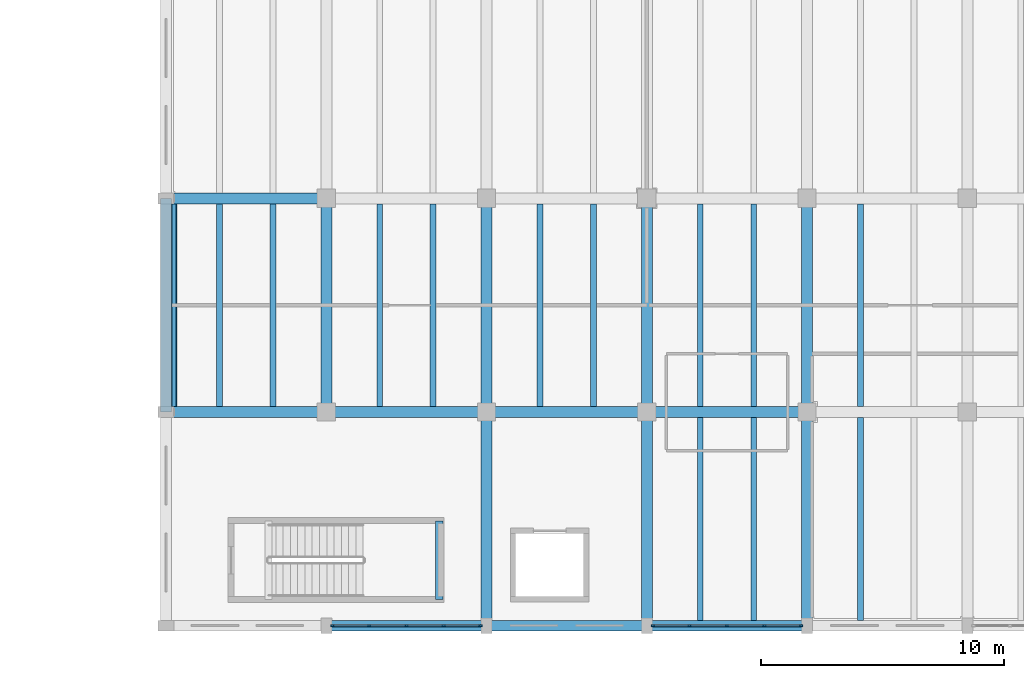
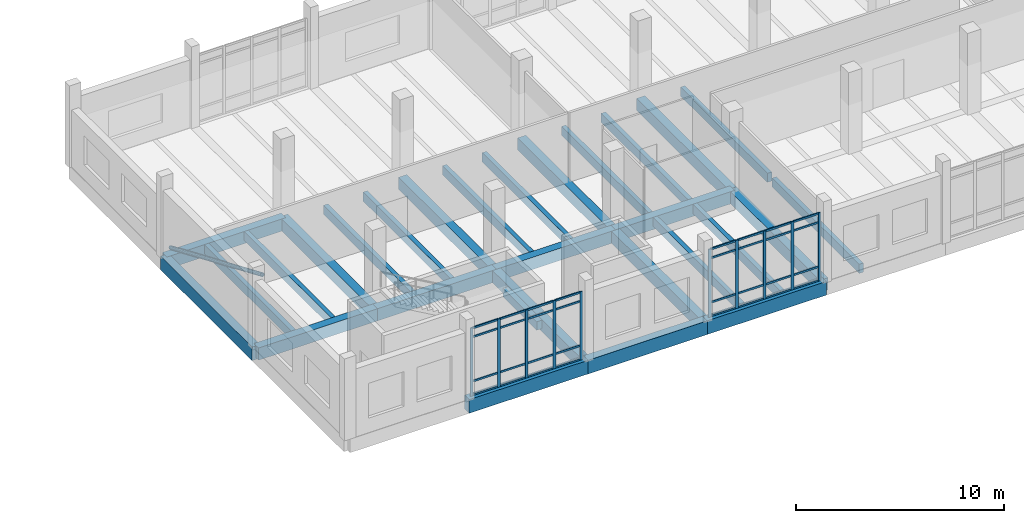
# One storey, part 22 of 125: 43 members, 29 beams, 2 elements without a shape of their own.
"""IFC4 building model written with IfcOpenShell, lengths in metres."""

from ifc_helpers import new_model, si_unit, direction, frame, origin, origin_2d, place, context, subcontext, project, spatial, rectangle, hollow_circle, extrude, material, material_profile, profile_set, type_object, element, aggregate, save


model = new_model("IFC4")

# Units and contexts
model_context = context("Model", 3, precision=1e-05, world=origin(), true_north=direction((0.0, 1.0)))
body_context = subcontext(model_context, "Body", "Model", "MODEL_VIEW")
ifc_project = project(units=[si_unit("LENGTHUNIT", "METRE"), si_unit("AREAUNIT", "SQUARE_METRE"), si_unit("VOLUMEUNIT", "CUBIC_METRE"), si_unit("PLANEANGLEUNIT", "RADIAN"), si_unit("MASSUNIT", "GRAM", prefix="KILO")], contexts=[model_context])

# Site, building, storey
site_placement = place(None, origin())
site = spatial("IfcSite", under=ifc_project, at=site_placement, CompositionType="ELEMENT")
building_placement = place(site_placement, origin())
building = spatial("IfcBuilding", under=site, at=building_placement, Name="Dornvale Research Institute", CompositionType="ELEMENT")
storey_placement = place(building_placement, frame((0.0, 0.0, 5.39990234375)))
storey = spatial("IfcBuildingStorey", under=building, at=storey_placement, Name="L01", CompositionType="ELEMENT", Elevation=5.39990234375)

# Beams
ifc_material_1 = material(Name="Concrete f'c 45 MPa (C35/45)", Category="concrete")
ifc_material_profile_1 = material_profile(ifc_material_1, rectangle(XDim=0.300048828125, YDim=0.5, at=origin_2d()), Name="RC 300x500")
ifc_profile_set_1 = profile_set([ifc_material_profile_1], Name="Concrete f'c 45 MPa (C35/45)")
beam_type_1 = type_object("IfcBeamType", Name="Beam_RC300x500_Trim", PredefinedType="BEAM", material=ifc_profile_set_1)
beam_1_placement = place(storey_placement, frame((110.25, 1.080078125, 1.9501953125), z_axis=(0.0, 1.0, 0.0), x_axis=(-1.0, 0.0, 0.0)))
element("IfcBeam", 1, at=beam_1_placement, inside=storey, type_object=beam_type_1, Name="L01 ST-5 half-landing support beam #84", PredefinedType="BEAM", context=body_context, shape_type="SweptSolid", body=[
    extrude(rectangle(XDim=0.300048828125, YDim=0.5, at=origin_2d()), origin(), (0.0, 0.0, 1.0), 3.239990234375),
])
ifc_material_2 = material(Name="Concrete f'c 45 MPa (C35/45)", Category="concrete")
ifc_material_profile_2 = material_profile(ifc_material_2, rectangle(XDim=0.449951171875, YDim=0.715087890625, at=origin_2d()), Name="RC 450x715")
ifc_profile_set_2 = profile_set([ifc_material_profile_2], Name="Concrete f'c 45 MPa (C35/45)")
beam_type_2 = type_object("IfcBeamType", Name="Beam_RC450x715_Lab", PredefinedType="BEAM", material=ifc_profile_set_2)
beam_2_placement = place(storey_placement, frame((99.0, 8.800048828125, -0.357421875), z_axis=(1.0, 0.0, 0.0), x_axis=(0.0, 1.0, 0.0)))
element("IfcBeam", 2, at=beam_2_placement, inside=storey, type_object=beam_type_2, Name="L01 primary girder #429", PredefinedType="BEAM", context=body_context, shape_type="SweptSolid", body=[
    extrude(rectangle(XDim=0.449951171875, YDim=0.715087890625, at=origin_2d()), origin(), (0.0, 0.0, 1.0), 6.60009765625),
])
beam_3_placement = place(storey_placement, frame((105.60009765625, 8.800048828125, -0.357421875), z_axis=(1.0, 0.0, 0.0), x_axis=(0.0, 1.0, 0.0)))
element("IfcBeam", 3, at=beam_3_placement, inside=storey, type_object=beam_type_2, Name="L01 primary girder #430", PredefinedType="BEAM", context=body_context, shape_type="SweptSolid", body=[
    extrude(rectangle(XDim=0.449951171875, YDim=0.715087890625, at=origin_2d()), origin(), (0.0, 0.0, 1.0), 6.599853515625),
])
beam_4_placement = place(storey_placement, frame((112.199951171875, 8.800048828125, -0.357421875), z_axis=(1.0, 0.0, 0.0), x_axis=(0.0, 1.0, 0.0)))
element("IfcBeam", 4, at=beam_4_placement, inside=storey, type_object=beam_type_2, Name="L01 primary girder #431", PredefinedType="BEAM", context=body_context, shape_type="SweptSolid", body=[
    extrude(rectangle(XDim=0.449951171875, YDim=0.715087890625, at=origin_2d()), origin(), (0.0, 0.0, 1.0), 6.60009765625),
])
beam_5_placement = place(storey_placement, frame((118.800048828125, 8.800048828125, -0.357421875), z_axis=(1.0, 0.0, 0.0), x_axis=(0.0, 1.0, 0.0)))
element("IfcBeam", 5, at=beam_5_placement, inside=storey, type_object=beam_type_2, Name="L01 primary girder #432", PredefinedType="BEAM", context=body_context, shape_type="SweptSolid", body=[
    extrude(rectangle(XDim=0.449951171875, YDim=0.715087890625, at=origin_2d()), origin(), (0.0, 0.0, 1.0), 6.599853515625),
])
beam_6_placement = place(storey_placement, frame((99.0, 17.60009765625, -0.357421875), z_axis=(1.0, 0.0, 0.0), x_axis=(0.0, 1.0, 0.0)))
element("IfcBeam", 6, at=beam_6_placement, inside=storey, type_object=beam_type_2, Name="L01 primary girder #441", PredefinedType="BEAM", context=body_context, shape_type="SweptSolid", body=[
    extrude(rectangle(XDim=0.449951171875, YDim=0.715087890625, at=origin_2d()), origin(), (0.0, 0.0, 1.0), 6.60009765625),
])
for number, where, z_axis, x_axis, name in (
    (7, (105.60009765625, 8.800048828125, -0.357421875), (0.0, 1.0, 0.0), (-1.0, 0.0, 0.0), "L01 transverse girder #468"),
    (8, (112.199951171875, 0.0, -0.357421875), (0.0, 1.0, 0.0), (-1.0, 0.0, 0.0), "L01 transverse girder #470"),
    (9, (112.199951171875, 8.800048828125, -0.357421875), (0.0, 1.0, 0.0), (-1.0, 0.0, 0.0), "L01 transverse girder #471"),
    (10, (118.800048828125, 0.0, -0.357421875), (0.0, 1.0, 0.0), (-1.0, 0.0, 0.0), "L01 transverse girder #473"),
    (11, (118.800048828125, 8.800048828125, -0.357421875), (0.0, 1.0, 0.0), (-1.0, 0.0, 0.0), "L01 transverse girder #474"),
    (12, (125.39990234375, 0.0, -0.357421875), (0.0, 1.0, 0.0), (-1.0, 0.0, 0.0), "L01 transverse girder #476"),
    (13, (125.39990234375, 8.800048828125, -0.357421875), (0.0, 1.0, 0.0), (-1.0, 0.0, 0.0), "L01 transverse girder #477"),
):
    element("IfcBeam", number, at=place(storey_placement, frame(where, z_axis=z_axis, x_axis=x_axis)), inside=storey, type_object=beam_type_2, Name=name, PredefinedType="BEAM", context=body_context, shape_type="SweptSolid", body=[
        extrude(rectangle(XDim=0.449951171875, YDim=0.715087890625, at=origin_2d()), origin(), (0.0, 0.0, 1.0), 8.800048828125),
    ])

# Member
ifc_material_3 = material(Name="Steel ASTM A500 Grade C", Category="steel")
ifc_material_profile_3 = material_profile(ifc_material_3, hollow_circle(Radius=0.109619140625, WallThickness=0.0087890625, at=origin_2d()), Name="HSS219X9.5")
ifc_profile_set_3 = profile_set([ifc_material_profile_3], Name="Steel ASTM A500 Grade C")
member_type_1 = type_object("IfcMemberType", Name="Brace_HSS219_Round", PredefinedType="BRACE", material=ifc_profile_set_3)
member_1_placement = place(storey_placement, frame((99.340087890625, 17.60009765625, 0.300048828125), z_axis=(0.0, -0.919954954224, 0.392024083698), x_axis=(1.0, 0.0, 0.0)))
element("IfcMember", 14, at=member_1_placement, inside=storey, type_object=member_type_1, Name="L01 seismic diagonal brace #51", PredefinedType="BRACE", context=body_context, shape_type="SweptSolid", body=[
    extrude(hollow_circle(Radius=0.109619140625, WallThickness=0.0087890625, at=origin_2d()), origin(), (0.0, 0.0, 1.0), 9.565673828125),
])

# Beams
ifc_material_4 = material(Name="Concrete f'c 45 MPa (C35/45)", Category="concrete")
ifc_material_profile_4 = material_profile(ifc_material_4, rectangle(XDim=0.239990234375, YDim=0.534912109375, at=origin_2d()), Name="RC 240x535")
ifc_profile_set_4 = profile_set([ifc_material_profile_4], Name="Concrete f'c 45 MPa (C35/45)")
beam_type_3 = type_object("IfcBeamType", Name="Joist_RC240x535_Waffle", PredefinedType="JOIST", material=ifc_profile_set_4)
for number, where, z_axis, x_axis, name in (
    (15, (101.199951171875, 9.02490234375, -0.267333984375), (0.0, 1.0, 0.0), (-1.0, 0.0, 0.0), "L01 laboratory waffle joist #215"),
    (16, (103.39990234375, 9.02490234375, -0.267333984375), (0.0, 1.0, 0.0), (-1.0, 0.0, 0.0), "L01 laboratory waffle joist #216"),
    (17, (107.800048828125, 9.02490234375, -0.267333984375), (0.0, 1.0, 0.0), (-1.0, 0.0, 0.0), "L01 laboratory waffle joist #219"),
    (18, (110.0, 9.02490234375, -0.267333984375), (0.0, 1.0, 0.0), (-1.0, 0.0, 0.0), "L01 laboratory waffle joist #220"),
    (19, (114.39990234375, 9.02490234375, -0.267333984375), (0.0, 1.0, 0.0), (-1.0, 0.0, 0.0), "L01 laboratory waffle joist #223"),
    (20, (116.60009765625, 9.02490234375, -0.267333984375), (0.0, 1.0, 0.0), (-1.0, 0.0, 0.0), "L01 laboratory waffle joist #224"),
):
    element("IfcBeam", number, at=place(storey_placement, frame(where, z_axis=z_axis, x_axis=x_axis)), inside=storey, type_object=beam_type_3, Name=name, PredefinedType="JOIST", context=body_context, shape_type="SweptSolid", body=[
        extrude(rectangle(XDim=0.239990234375, YDim=0.534912109375, at=origin_2d()), origin(), (0.0, 0.0, 1.0), 8.35009765625),
    ])
for number, where, z_axis, x_axis, name in (
    (21, (121.0, 0.22509765625, -0.267333984375), (0.0, 1.0, 0.0), (-1.0, 0.0, 0.0), "L01 laboratory waffle joist #227"),
    (22, (123.199951171875, 0.22509765625, -0.267333984375), (0.0, 1.0, 0.0), (-1.0, 0.0, 0.0), "L01 laboratory waffle joist #228"),
):
    element("IfcBeam", number, at=place(storey_placement, frame(where, z_axis=z_axis, x_axis=x_axis)), inside=storey, type_object=beam_type_3, Name=name, PredefinedType="JOIST", context=body_context, shape_type="SweptSolid", body=[
        extrude(rectangle(XDim=0.239990234375, YDim=0.534912109375, at=origin_2d()), origin(), (0.0, 0.0, 1.0), 8.349853515625),
    ])
for number, where, z_axis, x_axis, name in (
    (23, (121.0, 9.02490234375, -0.267333984375), (0.0, 1.0, 0.0), (-1.0, 0.0, 0.0), "L01 laboratory waffle joist #229"),
    (24, (123.199951171875, 9.02490234375, -0.267333984375), (0.0, 1.0, 0.0), (-1.0, 0.0, 0.0), "L01 laboratory waffle joist #230"),
):
    element("IfcBeam", number, at=place(storey_placement, frame(where, z_axis=z_axis, x_axis=x_axis)), inside=storey, type_object=beam_type_3, Name=name, PredefinedType="JOIST", context=body_context, shape_type="SweptSolid", body=[
        extrude(rectangle(XDim=0.239990234375, YDim=0.534912109375, at=origin_2d()), origin(), (0.0, 0.0, 1.0), 8.35009765625),
    ])
beam_7_placement = place(storey_placement, frame((127.60009765625, 0.22509765625, -0.267333984375), z_axis=(0.0, 1.0, 0.0), x_axis=(-1.0, 0.0, 0.0)))
element("IfcBeam", 25, at=beam_7_placement, inside=storey, type_object=beam_type_3, Name="L01 laboratory waffle joist #233", PredefinedType="JOIST", context=body_context, shape_type="SweptSolid", body=[
    extrude(rectangle(XDim=0.239990234375, YDim=0.534912109375, at=origin_2d()), origin(), (0.0, 0.0, 1.0), 8.349853515625),
])
beam_8_placement = place(storey_placement, frame((127.60009765625, 9.02490234375, -0.267333984375), z_axis=(0.0, 1.0, 0.0), x_axis=(-1.0, 0.0, 0.0)))
element("IfcBeam", 26, at=beam_8_placement, inside=storey, type_object=beam_type_3, Name="L01 laboratory waffle joist #235", PredefinedType="JOIST", context=body_context, shape_type="SweptSolid", body=[
    extrude(rectangle(XDim=0.239990234375, YDim=0.534912109375, at=origin_2d()), origin(), (0.0, 0.0, 1.0), 8.35009765625),
])

# Curtain wall, members
ifc_material_5 = material(Name="Low-E Argon Double Insulating Glazing Unit", Category="glass")
curtain_wall_type = type_object("IfcCurtainWallType", Name="UnitisedCurtainWall_V3_6150x4000", PredefinedType="USERDEFINED", material=ifc_material_5)
curtain_wall_1_placement = place(storey_placement, origin())
curtain_wall_1 = element("IfcCurtainWall", 27, at=curtain_wall_1_placement, inside=storey, type_object=curtain_wall_type, Name="L01 V3 unitised curtain wall CW-06 #40", ObjectType="UNITISED CURTAIN WALL", PredefinedType="USERDEFINED")
ifc_material_6 = material(Name="Anodized Aluminum AA 6063-T6 Thermally Broken Frame", Category="aluminium")
ifc_material_profile_5 = material_profile(ifc_material_6, rectangle(XDim=0.06494140625, YDim=0.14990234375, at=origin_2d()), Name="ALU MULLION 65x150")
ifc_profile_set_5 = profile_set([ifc_material_profile_5], Name="Anodized Aluminum AA 6063-T6 Thermally Broken Frame")
member_type_2 = type_object("IfcMemberType", Name="Mullion_CW_65x150", PredefinedType="MULLION", material=ifc_profile_set_5)
member_2_placement = place(storey_placement, frame((125.142578125, 0.0, 0.0), z_axis=(0.0, 0.0, 1.0), x_axis=(0.0, -1.0, 0.0)))
member_2 = element("IfcMember", 28, at=member_2_placement, type_object=member_type_2, Name="CW-06 mullion 1", PredefinedType="MULLION", context=body_context, shape_type="SweptSolid", body=[
    extrude(rectangle(XDim=0.06494140625, YDim=0.14990234375, at=origin_2d()), origin(), (0.0, 0.0, 1.0), 4.0),
])
member_3_placement = place(storey_placement, frame((123.637451171875, 0.0, 0.0), z_axis=(0.0, 0.0, 1.0), x_axis=(0.0, -1.0, 0.0)))
member_3 = element("IfcMember", 29, at=member_3_placement, type_object=member_type_2, Name="CW-06 mullion 2", PredefinedType="MULLION", context=body_context, shape_type="SweptSolid", body=[
    extrude(rectangle(XDim=0.06494140625, YDim=0.14990234375, at=origin_2d()), origin(), (0.0, 0.0, 1.0), 4.0),
])
member_4_placement = place(storey_placement, frame((122.10009765625, 0.0, 0.0), z_axis=(0.0, 0.0, 1.0), x_axis=(0.0, -1.0, 0.0)))
member_4 = element("IfcMember", 30, at=member_4_placement, type_object=member_type_2, Name="CW-06 mullion 3", PredefinedType="MULLION", context=body_context, shape_type="SweptSolid", body=[
    extrude(rectangle(XDim=0.06494140625, YDim=0.14990234375, at=origin_2d()), origin(), (0.0, 0.0, 1.0), 4.0),
])
member_5_placement = place(storey_placement, frame((120.5625, 0.0, 0.0), z_axis=(0.0, 0.0, 1.0), x_axis=(0.0, -1.0, 0.0)))
member_5 = element("IfcMember", 31, at=member_5_placement, type_object=member_type_2, Name="CW-06 mullion 4", PredefinedType="MULLION", context=body_context, shape_type="SweptSolid", body=[
    extrude(rectangle(XDim=0.06494140625, YDim=0.14990234375, at=origin_2d()), origin(), (0.0, 0.0, 1.0), 4.0),
])
member_6_placement = place(storey_placement, frame((119.0576171875, 0.0, 0.0), z_axis=(0.0, 0.0, 1.0), x_axis=(0.0, -1.0, 0.0)))
member_6 = element("IfcMember", 32, at=member_6_placement, type_object=member_type_2, Name="CW-06 mullion 5", PredefinedType="MULLION", context=body_context, shape_type="SweptSolid", body=[
    extrude(rectangle(XDim=0.06494140625, YDim=0.14990234375, at=origin_2d()), origin(), (0.0, 0.0, 1.0), 4.0),
])

curtain_wall_2_placement = place(storey_placement, origin())
curtain_wall_2 = element("IfcCurtainWall", 33, at=curtain_wall_2_placement, inside=storey, type_object=curtain_wall_type, Name="L01 V3 unitised curtain wall CW-06 #41", ObjectType="UNITISED CURTAIN WALL", PredefinedType="USERDEFINED")
member_7_placement = place(storey_placement, frame((111.9423828125, 0.0, 0.0), z_axis=(0.0, 0.0, 1.0), x_axis=(0.0, -1.0, 0.0)))
member_7 = element("IfcMember", 34, at=member_7_placement, type_object=member_type_2, Name="CW-06 mullion 1", PredefinedType="MULLION", context=body_context, shape_type="SweptSolid", body=[
    extrude(rectangle(XDim=0.06494140625, YDim=0.14990234375, at=origin_2d()), origin(), (0.0, 0.0, 1.0), 4.0),
])
member_8_placement = place(storey_placement, frame((110.4375, 0.0, 0.0), z_axis=(0.0, 0.0, 1.0), x_axis=(0.0, -1.0, 0.0)))
member_8 = element("IfcMember", 35, at=member_8_placement, type_object=member_type_2, Name="CW-06 mullion 2", PredefinedType="MULLION", context=body_context, shape_type="SweptSolid", body=[
    extrude(rectangle(XDim=0.06494140625, YDim=0.14990234375, at=origin_2d()), origin(), (0.0, 0.0, 1.0), 4.0),
])
member_9_placement = place(storey_placement, frame((108.89990234375, 0.0, 0.0), z_axis=(0.0, 0.0, 1.0), x_axis=(0.0, -1.0, 0.0)))
member_9 = element("IfcMember", 36, at=member_9_placement, type_object=member_type_2, Name="CW-06 mullion 3", PredefinedType="MULLION", context=body_context, shape_type="SweptSolid", body=[
    extrude(rectangle(XDim=0.06494140625, YDim=0.14990234375, at=origin_2d()), origin(), (0.0, 0.0, 1.0), 4.0),
])
member_10_placement = place(storey_placement, frame((107.362548828125, 0.0, 0.0), z_axis=(0.0, 0.0, 1.0), x_axis=(0.0, -1.0, 0.0)))
member_10 = element("IfcMember", 37, at=member_10_placement, type_object=member_type_2, Name="CW-06 mullion 4", PredefinedType="MULLION", context=body_context, shape_type="SweptSolid", body=[
    extrude(rectangle(XDim=0.06494140625, YDim=0.14990234375, at=origin_2d()), origin(), (0.0, 0.0, 1.0), 4.0),
])
member_11_placement = place(storey_placement, frame((105.857421875, 0.0, 0.0), z_axis=(0.0, 0.0, 1.0), x_axis=(0.0, -1.0, 0.0)))
member_11 = element("IfcMember", 38, at=member_11_placement, type_object=member_type_2, Name="CW-06 mullion 5", PredefinedType="MULLION", context=body_context, shape_type="SweptSolid", body=[
    extrude(rectangle(XDim=0.06494140625, YDim=0.14990234375, at=origin_2d()), origin(), (0.0, 0.0, 1.0), 4.0),
])

# Beams
ifc_material_7 = material(Name="Concrete f'c 45 MPa (C35/45)", Category="concrete")
ifc_material_profile_6 = material_profile(ifc_material_7, rectangle(XDim=0.449951171875, YDim=0.800048828125, at=origin_2d()), Name="RC 450x800")
ifc_profile_set_6 = profile_set([ifc_material_profile_6], Name="Concrete f'c 45 MPa (C35/45)")
beam_type_4 = type_object("IfcBeamType", Name="Spandrel_RC450x800_Ext", PredefinedType="SPANDREL", material=ifc_profile_set_6)
beam_9_placement = place(storey_placement, frame((105.60009765625, 0.0, -0.39990234375), z_axis=(1.0, 0.0, 0.0), x_axis=(0.0, 1.0, 0.0)))
element("IfcBeam", 39, at=beam_9_placement, inside=storey, type_object=beam_type_4, Name="L01 perimeter spandrel #418", PredefinedType="SPANDREL", context=body_context, shape_type="SweptSolid", body=[
    extrude(rectangle(XDim=0.449951171875, YDim=0.800048828125, at=origin_2d()), origin(), (0.0, 0.0, 1.0), 6.599853515625),
])
beam_10_placement = place(storey_placement, frame((112.199951171875, 0.0, -0.39990234375), z_axis=(1.0, 0.0, 0.0), x_axis=(0.0, 1.0, 0.0)))
element("IfcBeam", 40, at=beam_10_placement, inside=storey, type_object=beam_type_4, Name="L01 perimeter spandrel #419", PredefinedType="SPANDREL", context=body_context, shape_type="SweptSolid", body=[
    extrude(rectangle(XDim=0.449951171875, YDim=0.800048828125, at=origin_2d()), origin(), (0.0, 0.0, 1.0), 6.60009765625),
])
beam_11_placement = place(storey_placement, frame((118.800048828125, 0.0, -0.39990234375), z_axis=(1.0, 0.0, 0.0), x_axis=(0.0, 1.0, 0.0)))
element("IfcBeam", 41, at=beam_11_placement, inside=storey, type_object=beam_type_4, Name="L01 perimeter spandrel #420", PredefinedType="SPANDREL", context=body_context, shape_type="SweptSolid", body=[
    extrude(rectangle(XDim=0.449951171875, YDim=0.800048828125, at=origin_2d()), origin(), (0.0, 0.0, 1.0), 6.599853515625),
])
beam_12_placement = place(storey_placement, frame((99.0, 8.800048828125, -0.39990234375), z_axis=(0.0, 1.0, 0.0), x_axis=(-1.0, 0.0, 0.0)))
element("IfcBeam", 42, at=beam_12_placement, inside=storey, type_object=beam_type_4, Name="L01 perimeter spandrel #466", PredefinedType="SPANDREL", context=body_context, shape_type="SweptSolid", body=[
    extrude(rectangle(XDim=0.449951171875, YDim=0.800048828125, at=origin_2d()), origin(), (0.0, 0.0, 1.0), 8.800048828125),
])

# Member
ifc_material_8 = material(Name="Anodized Aluminum AA 6063-T6 Thermally Broken Frame", Category="aluminium")
ifc_material_profile_7 = material_profile(ifc_material_8, rectangle(XDim=0.06494140625, YDim=0.110107421875, at=origin_2d()), Name="ALU TRANSOM 65x110")
ifc_profile_set_7 = profile_set([ifc_material_profile_7], Name="Anodized Aluminum AA 6063-T6 Thermally Broken Frame")
member_type_3 = type_object("IfcMemberType", Name="Transom_CW_65x110", PredefinedType="USERDEFINED", material=ifc_profile_set_7)
member_12_placement = place(storey_placement, frame((125.110107421875, 0.0, 0.03271484375), z_axis=(-1.0, 0.0, 0.0), x_axis=(0.0, -1.0, 0.0)))
member_12 = element("IfcMember", 43, at=member_12_placement, type_object=member_type_3, Name="CW-06 transom 1.1", ObjectType="TRANSOM", PredefinedType="USERDEFINED", context=body_context, shape_type="SweptSolid", body=[
    extrude(rectangle(XDim=0.06494140625, YDim=0.110107421875, at=origin_2d()), origin(), (0.0, 0.0, 1.0), 1.440185546875),
])

member_13_placement = place(storey_placement, frame((125.110107421875, 0.0, 0.85009765625), z_axis=(-1.0, 0.0, 0.0), x_axis=(0.0, -1.0, 0.0)))
member_13 = element("IfcMember", 44, at=member_13_placement, type_object=member_type_3, Name="CW-06 transom 1.2", ObjectType="TRANSOM", PredefinedType="USERDEFINED", context=body_context, shape_type="SweptSolid", body=[
    extrude(rectangle(XDim=0.06494140625, YDim=0.110107421875, at=origin_2d()), origin(), (0.0, 0.0, 1.0), 1.440185546875),
])

member_14_placement = place(storey_placement, frame((125.110107421875, 0.0, 3.4501953125), z_axis=(-1.0, 0.0, 0.0), x_axis=(0.0, -1.0, 0.0)))
member_14 = element("IfcMember", 45, at=member_14_placement, type_object=member_type_3, Name="CW-06 transom 1.3", ObjectType="TRANSOM", PredefinedType="USERDEFINED", context=body_context, shape_type="SweptSolid", body=[
    extrude(rectangle(XDim=0.06494140625, YDim=0.110107421875, at=origin_2d()), origin(), (0.0, 0.0, 1.0), 1.440185546875),
])

member_15_placement = place(storey_placement, frame((125.110107421875, 0.0, 3.967529296875), z_axis=(-1.0, 0.0, 0.0), x_axis=(0.0, -1.0, 0.0)))
member_15 = element("IfcMember", 46, at=member_15_placement, type_object=member_type_3, Name="CW-06 transom 1.4", ObjectType="TRANSOM", PredefinedType="USERDEFINED", context=body_context, shape_type="SweptSolid", body=[
    extrude(rectangle(XDim=0.06494140625, YDim=0.110107421875, at=origin_2d()), origin(), (0.0, 0.0, 1.0), 1.440185546875),
])

member_16_placement = place(storey_placement, frame((123.60498046875, 0.0, 0.03271484375), z_axis=(-1.0, 0.0, 0.0), x_axis=(0.0, -1.0, 0.0)))
member_16 = element("IfcMember", 47, at=member_16_placement, type_object=member_type_3, Name="CW-06 transom 2.1", ObjectType="TRANSOM", PredefinedType="USERDEFINED", context=body_context, shape_type="SweptSolid", body=[
    extrude(rectangle(XDim=0.06494140625, YDim=0.110107421875, at=origin_2d()), origin(), (0.0, 0.0, 1.0), 1.472412109375),
])

member_17_placement = place(storey_placement, frame((123.60498046875, 0.0, 0.85009765625), z_axis=(-1.0, 0.0, 0.0), x_axis=(0.0, -1.0, 0.0)))
member_17 = element("IfcMember", 48, at=member_17_placement, type_object=member_type_3, Name="CW-06 transom 2.2", ObjectType="TRANSOM", PredefinedType="USERDEFINED", context=body_context, shape_type="SweptSolid", body=[
    extrude(rectangle(XDim=0.06494140625, YDim=0.110107421875, at=origin_2d()), origin(), (0.0, 0.0, 1.0), 1.472412109375),
])

member_18_placement = place(storey_placement, frame((123.60498046875, 0.0, 3.4501953125), z_axis=(-1.0, 0.0, 0.0), x_axis=(0.0, -1.0, 0.0)))
member_18 = element("IfcMember", 49, at=member_18_placement, type_object=member_type_3, Name="CW-06 transom 2.3", ObjectType="TRANSOM", PredefinedType="USERDEFINED", context=body_context, shape_type="SweptSolid", body=[
    extrude(rectangle(XDim=0.06494140625, YDim=0.110107421875, at=origin_2d()), origin(), (0.0, 0.0, 1.0), 1.472412109375),
])

member_19_placement = place(storey_placement, frame((123.60498046875, 0.0, 3.967529296875), z_axis=(-1.0, 0.0, 0.0), x_axis=(0.0, -1.0, 0.0)))
member_19 = element("IfcMember", 50, at=member_19_placement, type_object=member_type_3, Name="CW-06 transom 2.4", ObjectType="TRANSOM", PredefinedType="USERDEFINED", context=body_context, shape_type="SweptSolid", body=[
    extrude(rectangle(XDim=0.06494140625, YDim=0.110107421875, at=origin_2d()), origin(), (0.0, 0.0, 1.0), 1.472412109375),
])

member_20_placement = place(storey_placement, frame((122.0673828125, 0.0, 0.03271484375), z_axis=(-1.0, 0.0, 0.0), x_axis=(0.0, -1.0, 0.0)))
member_20 = element("IfcMember", 51, at=member_20_placement, type_object=member_type_3, Name="CW-06 transom 3.1", ObjectType="TRANSOM", PredefinedType="USERDEFINED", context=body_context, shape_type="SweptSolid", body=[
    extrude(rectangle(XDim=0.06494140625, YDim=0.110107421875, at=origin_2d()), origin(), (0.0, 0.0, 1.0), 1.472412109375),
])

member_21_placement = place(storey_placement, frame((122.0673828125, 0.0, 0.85009765625), z_axis=(-1.0, 0.0, 0.0), x_axis=(0.0, -1.0, 0.0)))
member_21 = element("IfcMember", 52, at=member_21_placement, type_object=member_type_3, Name="CW-06 transom 3.2", ObjectType="TRANSOM", PredefinedType="USERDEFINED", context=body_context, shape_type="SweptSolid", body=[
    extrude(rectangle(XDim=0.06494140625, YDim=0.110107421875, at=origin_2d()), origin(), (0.0, 0.0, 1.0), 1.472412109375),
])

member_22_placement = place(storey_placement, frame((122.0673828125, 0.0, 3.4501953125), z_axis=(-1.0, 0.0, 0.0), x_axis=(0.0, -1.0, 0.0)))
member_22 = element("IfcMember", 53, at=member_22_placement, type_object=member_type_3, Name="CW-06 transom 3.3", ObjectType="TRANSOM", PredefinedType="USERDEFINED", context=body_context, shape_type="SweptSolid", body=[
    extrude(rectangle(XDim=0.06494140625, YDim=0.110107421875, at=origin_2d()), origin(), (0.0, 0.0, 1.0), 1.472412109375),
])

member_23_placement = place(storey_placement, frame((122.0673828125, 0.0, 3.967529296875), z_axis=(-1.0, 0.0, 0.0), x_axis=(0.0, -1.0, 0.0)))
member_23 = element("IfcMember", 54, at=member_23_placement, type_object=member_type_3, Name="CW-06 transom 3.4", ObjectType="TRANSOM", PredefinedType="USERDEFINED", context=body_context, shape_type="SweptSolid", body=[
    extrude(rectangle(XDim=0.06494140625, YDim=0.110107421875, at=origin_2d()), origin(), (0.0, 0.0, 1.0), 1.472412109375),
])

member_24_placement = place(storey_placement, frame((120.530029296875, 0.0, 0.03271484375), z_axis=(-1.0, 0.0, 0.0), x_axis=(0.0, -1.0, 0.0)))
member_24 = element("IfcMember", 55, at=member_24_placement, type_object=member_type_3, Name="CW-06 transom 4.1", ObjectType="TRANSOM", PredefinedType="USERDEFINED", context=body_context, shape_type="SweptSolid", body=[
    extrude(rectangle(XDim=0.06494140625, YDim=0.110107421875, at=origin_2d()), origin(), (0.0, 0.0, 1.0), 1.43994140625),
])

member_25_placement = place(storey_placement, frame((120.530029296875, 0.0, 0.85009765625), z_axis=(-1.0, 0.0, 0.0), x_axis=(0.0, -1.0, 0.0)))
member_25 = element("IfcMember", 56, at=member_25_placement, type_object=member_type_3, Name="CW-06 transom 4.2", ObjectType="TRANSOM", PredefinedType="USERDEFINED", context=body_context, shape_type="SweptSolid", body=[
    extrude(rectangle(XDim=0.06494140625, YDim=0.110107421875, at=origin_2d()), origin(), (0.0, 0.0, 1.0), 1.43994140625),
])

member_26_placement = place(storey_placement, frame((120.530029296875, 0.0, 3.4501953125), z_axis=(-1.0, 0.0, 0.0), x_axis=(0.0, -1.0, 0.0)))
member_26 = element("IfcMember", 57, at=member_26_placement, type_object=member_type_3, Name="CW-06 transom 4.3", ObjectType="TRANSOM", PredefinedType="USERDEFINED", context=body_context, shape_type="SweptSolid", body=[
    extrude(rectangle(XDim=0.06494140625, YDim=0.110107421875, at=origin_2d()), origin(), (0.0, 0.0, 1.0), 1.43994140625),
])

member_27_placement = place(storey_placement, frame((120.530029296875, 0.0, 3.967529296875), z_axis=(-1.0, 0.0, 0.0), x_axis=(0.0, -1.0, 0.0)))
member_27 = element("IfcMember", 58, at=member_27_placement, type_object=member_type_3, Name="CW-06 transom 4.4", ObjectType="TRANSOM", PredefinedType="USERDEFINED", context=body_context, shape_type="SweptSolid", body=[
    extrude(rectangle(XDim=0.06494140625, YDim=0.110107421875, at=origin_2d()), origin(), (0.0, 0.0, 1.0), 1.43994140625),
])

aggregate(curtain_wall_1, [member_2, member_3, member_4, member_5, member_6, member_12, member_13, member_14, member_15, member_16, member_17, member_18, member_19, member_20, member_21, member_22, member_23, member_24, member_25, member_26, member_27])

member_28_placement = place(storey_placement, frame((111.909912109375, 0.0, 0.03271484375), z_axis=(-1.0, 0.0, 0.0), x_axis=(0.0, -1.0, 0.0)))
member_28 = element("IfcMember", 59, at=member_28_placement, type_object=member_type_3, Name="CW-06 transom 1.1", ObjectType="TRANSOM", PredefinedType="USERDEFINED", context=body_context, shape_type="SweptSolid", body=[
    extrude(rectangle(XDim=0.06494140625, YDim=0.110107421875, at=origin_2d()), origin(), (0.0, 0.0, 1.0), 1.43994140625),
])

member_29_placement = place(storey_placement, frame((111.909912109375, 0.0, 0.85009765625), z_axis=(-1.0, 0.0, 0.0), x_axis=(0.0, -1.0, 0.0)))
member_29 = element("IfcMember", 60, at=member_29_placement, type_object=member_type_3, Name="CW-06 transom 1.2", ObjectType="TRANSOM", PredefinedType="USERDEFINED", context=body_context, shape_type="SweptSolid", body=[
    extrude(rectangle(XDim=0.06494140625, YDim=0.110107421875, at=origin_2d()), origin(), (0.0, 0.0, 1.0), 1.43994140625),
])

member_30_placement = place(storey_placement, frame((111.909912109375, 0.0, 3.4501953125), z_axis=(-1.0, 0.0, 0.0), x_axis=(0.0, -1.0, 0.0)))
member_30 = element("IfcMember", 61, at=member_30_placement, type_object=member_type_3, Name="CW-06 transom 1.3", ObjectType="TRANSOM", PredefinedType="USERDEFINED", context=body_context, shape_type="SweptSolid", body=[
    extrude(rectangle(XDim=0.06494140625, YDim=0.110107421875, at=origin_2d()), origin(), (0.0, 0.0, 1.0), 1.43994140625),
])

member_31_placement = place(storey_placement, frame((111.909912109375, 0.0, 3.967529296875), z_axis=(-1.0, 0.0, 0.0), x_axis=(0.0, -1.0, 0.0)))
member_31 = element("IfcMember", 62, at=member_31_placement, type_object=member_type_3, Name="CW-06 transom 1.4", ObjectType="TRANSOM", PredefinedType="USERDEFINED", context=body_context, shape_type="SweptSolid", body=[
    extrude(rectangle(XDim=0.06494140625, YDim=0.110107421875, at=origin_2d()), origin(), (0.0, 0.0, 1.0), 1.43994140625),
])

member_32_placement = place(storey_placement, frame((110.405029296875, 0.0, 0.03271484375), z_axis=(-1.0, 0.0, 0.0), x_axis=(0.0, -1.0, 0.0)))
member_32 = element("IfcMember", 63, at=member_32_placement, type_object=member_type_3, Name="CW-06 transom 2.1", ObjectType="TRANSOM", PredefinedType="USERDEFINED", context=body_context, shape_type="SweptSolid", body=[
    extrude(rectangle(XDim=0.06494140625, YDim=0.110107421875, at=origin_2d()), origin(), (0.0, 0.0, 1.0), 1.472412109375),
])

member_33_placement = place(storey_placement, frame((110.405029296875, 0.0, 0.85009765625), z_axis=(-1.0, 0.0, 0.0), x_axis=(0.0, -1.0, 0.0)))
member_33 = element("IfcMember", 64, at=member_33_placement, type_object=member_type_3, Name="CW-06 transom 2.2", ObjectType="TRANSOM", PredefinedType="USERDEFINED", context=body_context, shape_type="SweptSolid", body=[
    extrude(rectangle(XDim=0.06494140625, YDim=0.110107421875, at=origin_2d()), origin(), (0.0, 0.0, 1.0), 1.472412109375),
])

member_34_placement = place(storey_placement, frame((110.405029296875, 0.0, 3.4501953125), z_axis=(-1.0, 0.0, 0.0), x_axis=(0.0, -1.0, 0.0)))
member_34 = element("IfcMember", 65, at=member_34_placement, type_object=member_type_3, Name="CW-06 transom 2.3", ObjectType="TRANSOM", PredefinedType="USERDEFINED", context=body_context, shape_type="SweptSolid", body=[
    extrude(rectangle(XDim=0.06494140625, YDim=0.110107421875, at=origin_2d()), origin(), (0.0, 0.0, 1.0), 1.472412109375),
])

member_35_placement = place(storey_placement, frame((110.405029296875, 0.0, 3.967529296875), z_axis=(-1.0, 0.0, 0.0), x_axis=(0.0, -1.0, 0.0)))
member_35 = element("IfcMember", 66, at=member_35_placement, type_object=member_type_3, Name="CW-06 transom 2.4", ObjectType="TRANSOM", PredefinedType="USERDEFINED", context=body_context, shape_type="SweptSolid", body=[
    extrude(rectangle(XDim=0.06494140625, YDim=0.110107421875, at=origin_2d()), origin(), (0.0, 0.0, 1.0), 1.472412109375),
])

member_36_placement = place(storey_placement, frame((108.867431640625, 0.0, 0.03271484375), z_axis=(-1.0, 0.0, 0.0), x_axis=(0.0, -1.0, 0.0)))
member_36 = element("IfcMember", 67, at=member_36_placement, type_object=member_type_3, Name="CW-06 transom 3.1", ObjectType="TRANSOM", PredefinedType="USERDEFINED", context=body_context, shape_type="SweptSolid", body=[
    extrude(rectangle(XDim=0.06494140625, YDim=0.110107421875, at=origin_2d()), origin(), (0.0, 0.0, 1.0), 1.472412109375),
])

member_37_placement = place(storey_placement, frame((108.867431640625, 0.0, 0.85009765625), z_axis=(-1.0, 0.0, 0.0), x_axis=(0.0, -1.0, 0.0)))
member_37 = element("IfcMember", 68, at=member_37_placement, type_object=member_type_3, Name="CW-06 transom 3.2", ObjectType="TRANSOM", PredefinedType="USERDEFINED", context=body_context, shape_type="SweptSolid", body=[
    extrude(rectangle(XDim=0.06494140625, YDim=0.110107421875, at=origin_2d()), origin(), (0.0, 0.0, 1.0), 1.472412109375),
])

member_38_placement = place(storey_placement, frame((108.867431640625, 0.0, 3.4501953125), z_axis=(-1.0, 0.0, 0.0), x_axis=(0.0, -1.0, 0.0)))
member_38 = element("IfcMember", 69, at=member_38_placement, type_object=member_type_3, Name="CW-06 transom 3.3", ObjectType="TRANSOM", PredefinedType="USERDEFINED", context=body_context, shape_type="SweptSolid", body=[
    extrude(rectangle(XDim=0.06494140625, YDim=0.110107421875, at=origin_2d()), origin(), (0.0, 0.0, 1.0), 1.472412109375),
])

member_39_placement = place(storey_placement, frame((108.867431640625, 0.0, 3.967529296875), z_axis=(-1.0, 0.0, 0.0), x_axis=(0.0, -1.0, 0.0)))
member_39 = element("IfcMember", 70, at=member_39_placement, type_object=member_type_3, Name="CW-06 transom 3.4", ObjectType="TRANSOM", PredefinedType="USERDEFINED", context=body_context, shape_type="SweptSolid", body=[
    extrude(rectangle(XDim=0.06494140625, YDim=0.110107421875, at=origin_2d()), origin(), (0.0, 0.0, 1.0), 1.472412109375),
])

member_40_placement = place(storey_placement, frame((107.330078125, 0.0, 0.03271484375), z_axis=(-1.0, 0.0, 0.0), x_axis=(0.0, -1.0, 0.0)))
member_40 = element("IfcMember", 71, at=member_40_placement, type_object=member_type_3, Name="CW-06 transom 4.1", ObjectType="TRANSOM", PredefinedType="USERDEFINED", context=body_context, shape_type="SweptSolid", body=[
    extrude(rectangle(XDim=0.06494140625, YDim=0.110107421875, at=origin_2d()), origin(), (0.0, 0.0, 1.0), 1.440185546875),
])

member_41_placement = place(storey_placement, frame((107.330078125, 0.0, 0.85009765625), z_axis=(-1.0, 0.0, 0.0), x_axis=(0.0, -1.0, 0.0)))
member_41 = element("IfcMember", 72, at=member_41_placement, type_object=member_type_3, Name="CW-06 transom 4.2", ObjectType="TRANSOM", PredefinedType="USERDEFINED", context=body_context, shape_type="SweptSolid", body=[
    extrude(rectangle(XDim=0.06494140625, YDim=0.110107421875, at=origin_2d()), origin(), (0.0, 0.0, 1.0), 1.440185546875),
])

member_42_placement = place(storey_placement, frame((107.330078125, 0.0, 3.4501953125), z_axis=(-1.0, 0.0, 0.0), x_axis=(0.0, -1.0, 0.0)))
member_42 = element("IfcMember", 73, at=member_42_placement, type_object=member_type_3, Name="CW-06 transom 4.3", ObjectType="TRANSOM", PredefinedType="USERDEFINED", context=body_context, shape_type="SweptSolid", body=[
    extrude(rectangle(XDim=0.06494140625, YDim=0.110107421875, at=origin_2d()), origin(), (0.0, 0.0, 1.0), 1.440185546875),
])

member_43_placement = place(storey_placement, frame((107.330078125, 0.0, 3.967529296875), z_axis=(-1.0, 0.0, 0.0), x_axis=(0.0, -1.0, 0.0)))
member_43 = element("IfcMember", 74, at=member_43_placement, type_object=member_type_3, Name="CW-06 transom 4.4", ObjectType="TRANSOM", PredefinedType="USERDEFINED", context=body_context, shape_type="SweptSolid", body=[
    extrude(rectangle(XDim=0.06494140625, YDim=0.110107421875, at=origin_2d()), origin(), (0.0, 0.0, 1.0), 1.440185546875),
])

aggregate(curtain_wall_2, [member_7, member_8, member_9, member_10, member_11, member_28, member_29, member_30, member_31, member_32, member_33, member_34, member_35, member_36, member_37, member_38, member_39, member_40, member_41, member_42, member_43])

save(model, "model.ifc")
